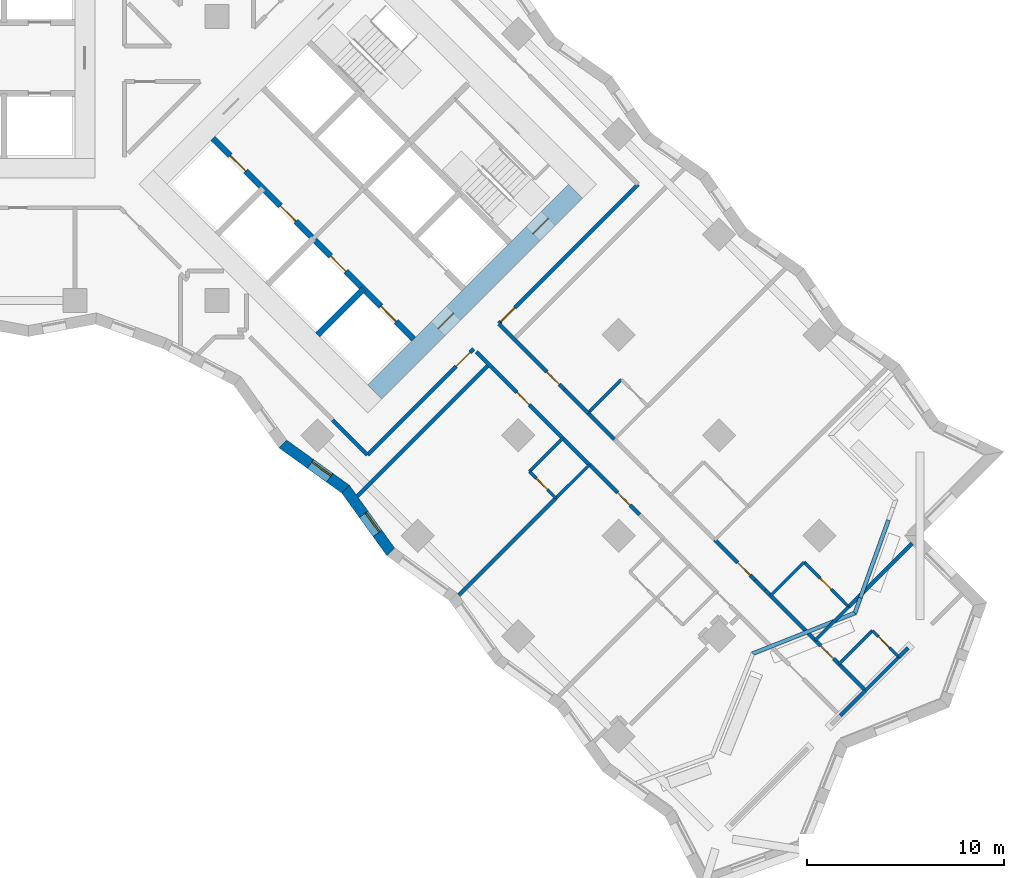
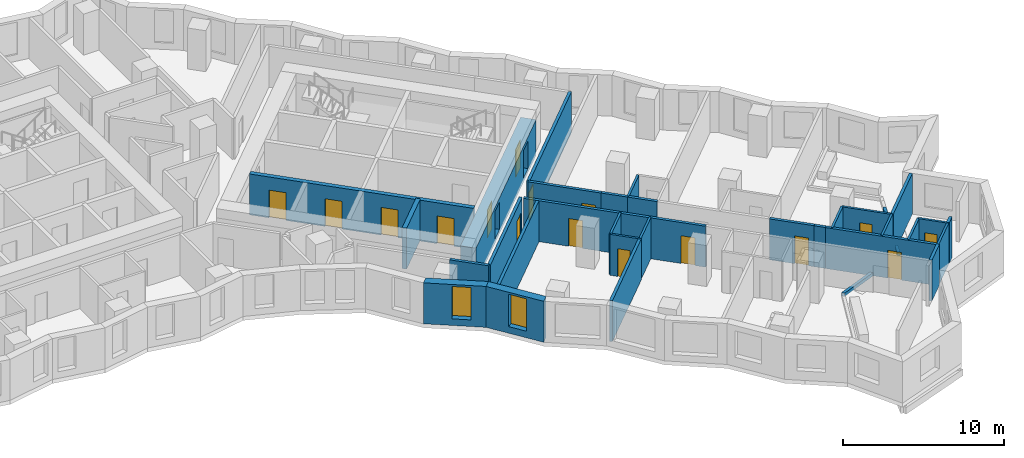
# One storey, part 8 of 13: 34 walls, 16 doors, 2 windows, 18 openings.
"""IFC4 building model written with IfcOpenShell, lengths in metres."""

from ifc_helpers import new_model, si_unit, direction, frame, frame_2d, origin, place, context, subcontext, project, spatial, polyline, rectangle, outline, extrude, material, layer, layer_set, type_object, element, fill, save


model = new_model("IFC4")

# Units and contexts
model_context = context("Model", 3, precision=1e-05, world=origin(), true_north=direction((0.0, 1.0)))
body_context = subcontext(model_context, "Body", "Model", "MODEL_VIEW")
ifc_project = project(units=[si_unit("LENGTHUNIT", "METRE"), si_unit("AREAUNIT", "SQUARE_METRE"), si_unit("VOLUMEUNIT", "CUBIC_METRE"), si_unit("PLANEANGLEUNIT", "RADIAN"), si_unit("MASSUNIT", "GRAM", prefix="KILO")], contexts=[model_context])

# Site, building, storey
site_placement = place(None, origin())
site = spatial("IfcSite", under=ifc_project, at=site_placement, CompositionType="ELEMENT")
building_placement = place(site_placement, origin())
building = spatial("IfcBuilding", under=site, at=building_placement, Name="Windrow Commons", CompositionType="ELEMENT")
storey_placement = place(building_placement, frame((0.0, 0.0, 64.4)))
storey = spatial("IfcBuildingStorey", under=building, at=storey_placement, Name="L17", CompositionType="ELEMENT", Elevation=64.4)

# Wall, opening, window
ifc_material_1 = material(Name="Brick masonry, red clay brick", Category="masonry")
ifc_layer_1 = layer(ifc_material_1, 0.55)
ifc_layer_set_1 = layer_set([ifc_layer_1], Name="Brick facade wall 550")
wall_type_1 = type_object("IfcWallType", Name="Brick facade wall 550", PredefinedType="SOLIDWALL", material=ifc_layer_set_1)
wall_1_placement = place(storey_placement, frame((82.538, 35.921, 0.0), z_axis=(0.0, 0.0, 1.0), x_axis=(0.8116340803, -0.5841661747, 0.0)))
wall_1 = element("IfcWall", 1, at=wall_1_placement, inside=storey, type_object=wall_type_1, Name="Brick facade wall L17 56", PredefinedType="SOLIDWALL", context=body_context, shape_type="SweptSolid", body=[
    extrude(outline(polyline([(-0.0448, -0.275), (3.8722, -0.275), (3.9618, 0.275), (0.0448, 0.275), (-0.0448, -0.275)])), origin(), (0.0, 0.0, 1.0), 3.1),
])
opening_1_placement = place(wall_1_placement, frame((1.7286, 0.0, 0.5)))
opening_1 = element("IfcOpeningElement", 2, at=opening_1_placement, cuts=wall_1, Name="Opening W7D", PredefinedType="OPENING", context=body_context, shape_type="SweptSolid", body=[
    extrude(rectangle(XDim=1.2, YDim=2.45, at=frame_2d((0.6, 1.225))), frame((0.0, 0.285, 0.0), z_axis=(0.0, -1.0, 0.0), x_axis=(1.0, 0.0, 0.0)), (0.0, 0.0, 1.0), 0.57),
])
ifc_material_2 = material(Name="Clear float glass in anodised aluminium frame", Category="aluminium")
window_type = type_object("IfcWindowType", Name="Window W7 notch 1200x2450", PartitioningType="SINGLE_PANEL", PredefinedType="WINDOW", material=ifc_material_2)
window_1_placement = place(opening_1_placement, origin())
window_1 = element("IfcWindow", 3, at=window_1_placement, inside=storey, type_object=window_type, Name="Window L17 56.1", OverallHeight=2.45, OverallWidth=1.2, PartitioningType="SINGLE_PANEL", PredefinedType="WINDOW", context=body_context, shape_type="SweptSolid", body=[
    extrude(rectangle(XDim=1.2, YDim=2.45, at=frame_2d((0.6, 1.225))), frame((0.0, 0.155, 0.0), z_axis=(0.0, -1.0, 0.0), x_axis=(1.0, 0.0, 0.0)), (0.0, 0.0, 1.0), 0.06),
])
fill(opening_1, window_1)

wall_2_placement = place(storey_placement, frame((85.7172, 33.6328, 0.0), z_axis=(0.0, 0.0, 1.0), x_axis=(0.5841661747, -0.8116340803, 0.0)))
wall_2 = element("IfcWall", 4, at=wall_2_placement, inside=storey, type_object=wall_type_1, Name="Brick facade wall L17 57", PredefinedType="SOLIDWALL", context=body_context, shape_type="SweptSolid", body=[
    extrude(outline(polyline([(0.0448, -0.275), (3.9618, -0.275), (3.8722, 0.275), (-0.0448, 0.275), (0.0448, -0.275)])), origin(), (0.0, 0.0, 1.0), 3.1),
])
opening_2_placement = place(wall_2_placement, frame((1.5714, 0.0, 0.5)))
opening_2 = element("IfcOpeningElement", 5, at=opening_2_placement, cuts=wall_2, Name="Opening W7D", PredefinedType="OPENING", context=body_context, shape_type="SweptSolid", body=[
    extrude(rectangle(XDim=1.2, YDim=2.45, at=frame_2d((0.6, 1.225))), frame((0.0, 0.285, 0.0), z_axis=(0.0, -1.0, 0.0), x_axis=(1.0, 0.0, 0.0)), (0.0, 0.0, 1.0), 0.57),
])
window_2_placement = place(opening_2_placement, origin())
window_2 = element("IfcWindow", 6, at=window_2_placement, inside=storey, type_object=window_type, Name="Window L17 57.1", OverallHeight=2.45, OverallWidth=1.2, PartitioningType="SINGLE_PANEL", PredefinedType="WINDOW", context=body_context, shape_type="SweptSolid", body=[
    extrude(rectangle(XDim=1.2, YDim=2.45, at=frame_2d((0.6, 1.225))), frame((0.0, 0.155, 0.0), z_axis=(0.0, -1.0, 0.0), x_axis=(1.0, 0.0, 0.0)), (0.0, 0.0, 1.0), 0.06),
])
fill(opening_2, window_2)

# Wall, opening, door
ifc_material_3 = material(Name="Blockwork partition", Category="masonry")
ifc_layer_2 = layer(ifc_material_3, 0.2)
ifc_layer_set_2 = layer_set([ifc_layer_2], Name="IW-CORRIDOR-200")
wall_type_2 = type_object("IfcWallType", Name="IW-CORRIDOR-200", PredefinedType="PARTITIONING", material=ifc_layer_set_2)
wall_3_placement = place(storey_placement, frame((93.4836, 42.0204, 0.0), z_axis=(0.0, 0.0, 1.0), x_axis=(0.7071067812, 0.7071067812, 0.0)))
wall_3 = element("IfcWall", 7, at=wall_3_placement, inside=storey, type_object=wall_type_2, Name="W-L17-W010", PredefinedType="PARTITIONING", context=body_context, shape_type="SweptSolid", body=[
    extrude(rectangle(XDim=9.9985, YDim=0.2, at=frame_2d((4.9992, 0.0))), origin(), (0.0, 0.0, 1.0), 3.1),
])
opening_3_placement = place(wall_3_placement, frame((0.1485, 0.0, 0.0)))
opening_3 = element("IfcOpeningElement", 8, at=opening_3_placement, cuts=wall_3, Name="Opening D310F", PredefinedType="OPENING", context=body_context, shape_type="SweptSolid", body=[
    extrude(rectangle(XDim=1.0, YDim=2.1, at=frame_2d((0.5, 1.05))), frame((0.0, 0.11, 0.0), z_axis=(0.0, -1.0, 0.0), x_axis=(1.0, 0.0, 0.0)), (0.0, 0.0, 1.0), 0.22),
])
ifc_material_4 = material(Name="Timber door leaf", Category="wood")
door_type_1 = type_object("IfcDoorType", Name="DT-AMENITY-1000", OperationType="SINGLE_SWING_LEFT", PredefinedType="DOOR", material=ifc_material_4)
door_1_placement = place(opening_3_placement, origin())
door_1 = element("IfcDoor", 9, at=door_1_placement, inside=storey, type_object=door_type_1, Name="D-L17-D039", OperationType="SINGLE_SWING_LEFT", OverallHeight=2.1, OverallWidth=1.0, PredefinedType="DOOR", context=body_context, shape_type="SweptSolid", body=[
    extrude(rectangle(XDim=1.0, YDim=2.1, at=frame_2d((0.5, 1.05))), frame((0.0, 0.025, 0.0), z_axis=(0.0, -1.0, 0.0), x_axis=(1.0, 0.0, 0.0)), (0.0, 0.0, 1.0), 0.05),
])
fill(opening_3, door_1)

wall_4_placement = place(storey_placement, frame((92.3491, 40.6011, 0.0), z_axis=(0.0, 0.0, 1.0), x_axis=(0.7071067812, -0.7071067812, 0.0)))
wall_4 = element("IfcWall", 10, at=wall_4_placement, inside=storey, type_object=wall_type_2, Name="W-L17-W018", PredefinedType="PARTITIONING", context=body_context, shape_type="SweptSolid", body=[
    extrude(rectangle(XDim=8.1006, YDim=0.2, at=frame_2d((4.0503, 0.0))), origin(), (0.0, 0.0, 1.0), 3.1),
])
opening_4_placement = place(wall_4_placement, frame((2.9093, 0.0, 0.0)))
opening_4 = element("IfcOpeningElement", 11, at=opening_4_placement, cuts=wall_4, Name="Opening D109F", PredefinedType="OPENING", context=body_context, shape_type="SweptSolid", body=[
    extrude(rectangle(XDim=0.9, YDim=2.1, at=frame_2d((0.45, 1.05))), frame((0.0, 0.11, 0.0), z_axis=(0.0, -1.0, 0.0), x_axis=(1.0, 0.0, 0.0)), (0.0, 0.0, 1.0), 0.22),
])
ifc_material_5 = material(Name="Timber door leaf", Category="wood")
door_type_2 = type_object("IfcDoorType", Name="DT-BEDROOM-900", OperationType="SINGLE_SWING_LEFT", PredefinedType="DOOR", material=ifc_material_5)
door_2_placement = place(opening_4_placement, origin())
door_2 = element("IfcDoor", 12, at=door_2_placement, inside=storey, type_object=door_type_2, Name="D-L17-D047", OperationType="SINGLE_SWING_LEFT", OverallHeight=2.1, OverallWidth=0.9, PredefinedType="DOOR", context=body_context, shape_type="SweptSolid", body=[
    extrude(rectangle(XDim=0.9, YDim=2.1, at=frame_2d((0.45, 1.05))), frame((0.0, 0.025, 0.0), z_axis=(0.0, -1.0, 0.0), x_axis=(1.0, 0.0, 0.0)), (0.0, 0.0, 1.0), 0.05),
])
fill(opening_4, door_2)

wall_5_placement = place(storey_placement, frame((86.8356, 35.3724, 0.0), z_axis=(0.0, 0.0, 1.0), x_axis=(0.7071067812, 0.7071067812, 0.0)))
wall_5 = element("IfcWall", 13, at=wall_5_placement, inside=storey, type_object=wall_type_2, Name="W-L17-W019", PredefinedType="PARTITIONING", context=body_context, shape_type="SweptSolid", body=[
    extrude(rectangle(XDim=7.6, YDim=0.2, at=frame_2d((3.8, 0.0))), origin(), (0.0, 0.0, 1.0), 3.1),
])
opening_5_placement = place(wall_5_placement, frame((6.3422, 0.0, 0.0)))
opening_5 = element("IfcOpeningElement", 14, at=opening_5_placement, cuts=wall_5, Name="Opening D310F", PredefinedType="OPENING", context=body_context, shape_type="SweptSolid", body=[
    extrude(rectangle(XDim=1.0, YDim=2.1, at=frame_2d((0.5, 1.05))), frame((0.0, 0.11, 0.0), z_axis=(0.0, -1.0, 0.0), x_axis=(1.0, 0.0, 0.0)), (0.0, 0.0, 1.0), 0.22),
])
door_3_placement = place(opening_5_placement, origin())
door_3 = element("IfcDoor", 15, at=door_3_placement, inside=storey, type_object=door_type_1, Name="D-L17-D046", OperationType="SINGLE_SWING_RIGHT", OverallHeight=2.1, OverallWidth=1.0, PredefinedType="DOOR", context=body_context, shape_type="SweptSolid", body=[
    extrude(rectangle(XDim=1.0, YDim=2.1, at=frame_2d((0.5, 1.05))), frame((0.0, 0.025, 0.0), z_axis=(0.0, -1.0, 0.0), x_axis=(1.0, 0.0, 0.0)), (0.0, 0.0, 1.0), 0.05),
])
fill(opening_5, door_3)

wall_6_placement = place(storey_placement, frame((106.9869, 28.5089, 0.0), z_axis=(0.0, 0.0, 1.0), x_axis=(0.7071067812, -0.7071067812, 0.0)))
wall_6 = element("IfcWall", 16, at=wall_6_placement, inside=storey, type_object=wall_type_2, Name="W-L17-W021", PredefinedType="PARTITIONING", context=body_context, shape_type="SweptSolid", body=[
    extrude(rectangle(XDim=7.1983, YDim=0.2, at=frame_2d((3.5991, 0.0))), origin(), (0.0, 0.0, 1.0), 3.1),
])
opening_6_placement = place(wall_6_placement, frame((4.0038, 0.0, 0.0)))
opening_6 = element("IfcOpeningElement", 17, at=opening_6_placement, cuts=wall_6, Name="Opening D109S", PredefinedType="OPENING", context=body_context, shape_type="SweptSolid", body=[
    extrude(rectangle(XDim=0.9, YDim=2.1, at=frame_2d((0.45, 1.05))), frame((0.0, 0.11, 0.0), z_axis=(0.0, -1.0, 0.0), x_axis=(1.0, 0.0, 0.0)), (0.0, 0.0, 1.0), 0.22),
])
door_4_placement = place(opening_6_placement, origin())
door_4 = element("IfcDoor", 18, at=door_4_placement, inside=storey, type_object=door_type_2, Name="D-L17-D054", OperationType="SINGLE_SWING_RIGHT", OverallHeight=2.1, OverallWidth=0.9, PredefinedType="DOOR", context=body_context, shape_type="SweptSolid", body=[
    extrude(rectangle(XDim=0.9, YDim=2.1, at=frame_2d((0.45, 1.05))), frame((0.0, 0.025, 0.0), z_axis=(0.0, -1.0, 0.0), x_axis=(1.0, 0.0, 0.0)), (0.0, 0.0, 1.0), 0.05),
])
fill(opening_6, door_4)

wall_7_placement = place(storey_placement, frame((93.4809, 42.0149, 0.0), z_axis=(0.0, 0.0, 1.0), x_axis=(0.7071067812, -0.7071067812, 0.0)))
wall_7 = element("IfcWall", 19, at=wall_7_placement, inside=storey, type_object=wall_type_2, Name="W-L17-W040", PredefinedType="PARTITIONING", context=body_context, shape_type="SweptSolid", body=[
    extrude(rectangle(XDim=4.698, YDim=0.2, at=frame_2d((2.349, 0.0))), origin(), (0.0, 0.0, 1.0), 3.1),
])
opening_7_placement = place(wall_7_placement, frame((3.4523, 0.0, 0.0)))
opening_7 = element("IfcOpeningElement", 20, at=opening_7_placement, cuts=wall_7, Name="Opening D109F", PredefinedType="OPENING", context=body_context, shape_type="SweptSolid", body=[
    extrude(rectangle(XDim=0.9, YDim=2.1, at=frame_2d((0.45, 1.05))), frame((0.0, 0.11, 0.0), z_axis=(0.0, -1.0, 0.0), x_axis=(1.0, 0.0, 0.0)), (0.0, 0.0, 1.0), 0.22),
])
door_5_placement = place(opening_7_placement, origin())
door_5 = element("IfcDoor", 21, at=door_5_placement, inside=storey, type_object=door_type_2, Name="D-L17-D040", OperationType="SINGLE_SWING_RIGHT", OverallHeight=2.1, OverallWidth=0.9, PredefinedType="DOOR", context=body_context, shape_type="SweptSolid", body=[
    extrude(rectangle(XDim=0.9, YDim=2.1, at=frame_2d((0.45, 1.05))), frame((0.0, 0.025, 0.0), z_axis=(0.0, -1.0, 0.0), x_axis=(1.0, 0.0, 0.0)), (0.0, 0.0, 1.0), 0.05),
])
fill(opening_7, door_5)

wall_8_placement = place(storey_placement, frame((98.0825, 34.8785, 0.0), z_axis=(0.0, 0.0, 1.0), x_axis=(0.7073845681, -0.7068288851, 0.0)))
wall_8 = element("IfcWall", 22, at=wall_8_placement, inside=storey, type_object=wall_type_2, Name="W-L17-W056", PredefinedType="PARTITIONING", context=body_context, shape_type="SweptSolid", body=[
    extrude(rectangle(XDim=3.5992, YDim=0.2, at=frame_2d((1.7996, 0.0))), origin(), (0.0, 0.0, 1.0), 3.1),
])
opening_8_placement = place(wall_8_placement, frame((2.0087, 0.0, 0.0)))
opening_8 = element("IfcOpeningElement", 23, at=opening_8_placement, cuts=wall_8, Name="Opening D109F", PredefinedType="OPENING", context=body_context, shape_type="SweptSolid", body=[
    extrude(rectangle(XDim=0.9, YDim=2.1, at=frame_2d((0.45, 1.05))), frame((0.0, 0.11, 0.0), z_axis=(0.0, -1.0, 0.0), x_axis=(1.0, 0.0, 0.0)), (0.0, 0.0, 1.0), 0.22),
])
door_6_placement = place(opening_8_placement, origin())
door_6 = element("IfcDoor", 24, at=door_6_placement, inside=storey, type_object=door_type_2, Name="D-L17-D049", OperationType="SINGLE_SWING_LEFT", OverallHeight=2.1, OverallWidth=0.9, PredefinedType="DOOR", context=body_context, shape_type="SweptSolid", body=[
    extrude(rectangle(XDim=0.9, YDim=2.1, at=frame_2d((0.45, 1.05))), frame((0.0, 0.025, 0.0), z_axis=(0.0, -1.0, 0.0), x_axis=(1.0, 0.0, 0.0)), (0.0, 0.0, 1.0), 0.05),
])
fill(opening_8, door_6)

wall_9_placement = place(storey_placement, frame((104.4448, 31.0588, 0.0), z_axis=(0.0, 0.0, 1.0), x_axis=(0.7074545101, -0.7067588812, 0.0)))
wall_9 = element("IfcWall", 25, at=wall_9_placement, inside=storey, type_object=wall_type_2, Name="W-L17-W064", PredefinedType="PARTITIONING", context=body_context, shape_type="SweptSolid", body=[
    extrude(rectangle(XDim=2.8751, YDim=0.2, at=frame_2d((1.4376, 0.0))), origin(), (0.0, 0.0, 1.0), 3.1),
])
opening_9_placement = place(wall_9_placement, frame((1.6264, 0.0, 0.0)))
opening_9 = element("IfcOpeningElement", 26, at=opening_9_placement, cuts=wall_9, Name="Opening D109F", PredefinedType="OPENING", context=body_context, shape_type="SweptSolid", body=[
    extrude(rectangle(XDim=0.9, YDim=2.1, at=frame_2d((0.45, 1.05))), frame((0.0, 0.11, 0.0), z_axis=(0.0, -1.0, 0.0), x_axis=(1.0, 0.0, 0.0)), (0.0, 0.0, 1.0), 0.22),
])
door_7_placement = place(opening_9_placement, origin())
door_7 = element("IfcDoor", 27, at=door_7_placement, inside=storey, type_object=door_type_2, Name="D-L17-D044", OperationType="SINGLE_SWING_RIGHT", OverallHeight=2.1, OverallWidth=0.9, PredefinedType="DOOR", context=body_context, shape_type="SweptSolid", body=[
    extrude(rectangle(XDim=0.9, YDim=2.1, at=frame_2d((0.45, 1.05))), frame((0.0, 0.025, 0.0), z_axis=(0.0, -1.0, 0.0), x_axis=(1.0, 0.0, 0.0)), (0.0, 0.0, 1.0), 0.05),
])
fill(opening_9, door_7)

# Walls
wall_10_placement = place(storey_placement, frame((85.0651, 37.1371, 0.0), z_axis=(0.0, 0.0, 1.0), x_axis=(0.7071067812, -0.7071067812, 0.0)))
element("IfcWall", 28, at=wall_10_placement, inside=storey, type_object=wall_type_2, Name="W-L17-W069", PredefinedType="PARTITIONING", context=body_context, shape_type="SweptSolid", body=[
    extrude(rectangle(XDim=2.5003, YDim=0.2, at=frame_2d((1.2502, 0.0))), origin(), (0.0, 0.0, 1.0), 3.1),
])
wall_11_placement = place(storey_placement, frame((98.0117, 37.4957, 0.0), z_axis=(0.0, 0.0, 1.0), x_axis=(0.7065800724, -0.7076330979, 0.0)))
element("IfcWall", 29, at=wall_11_placement, inside=storey, type_object=wall_type_2, Name="W-L17-W125", PredefinedType="PARTITIONING", context=body_context, shape_type="SweptSolid", body=[
    extrude(rectangle(XDim=1.8993, YDim=0.2, at=frame_2d((0.9496, 0.0))), origin(), (0.0, 0.0, 1.0), 3.1),
])
wall_12_placement = place(storey_placement, frame((110.8109, 22.1451, 0.0), z_axis=(0.0, 0.0, 1.0), x_axis=(0.7065510983, 0.7076620277, 0.0)))
element("IfcWall", 30, at=wall_12_placement, inside=storey, type_object=wall_type_2, Name="W-L17-W130", PredefinedType="PARTITIONING", context=body_context, shape_type="SweptSolid", body=[
    extrude(rectangle(XDim=1.8003, YDim=0.2, at=frame_2d((0.9002, 0.0))), origin(), (0.0, 0.0, 1.0), 3.1),
])
wall_13_placement = place(storey_placement, frame((96.8059, 38.6959, 0.0), z_axis=(0.0, 0.0, 1.0), x_axis=(0.7076943229, -0.7065187509, 0.0)))
element("IfcWall", 31, at=wall_13_placement, inside=storey, type_object=wall_type_2, Name="W-L17-W135", PredefinedType="PARTITIONING", context=body_context, shape_type="SweptSolid", body=[
    extrude(rectangle(XDim=1.7013, YDim=0.2, at=frame_2d((0.8507, 0.0))), origin(), (0.0, 0.0, 1.0), 3.1),
])
wall_14_placement = place(storey_placement, frame((106.4763, 29.0243, 0.0), z_axis=(0.0, 0.0, 1.0), x_axis=(0.7057270646, -0.7084838109, 0.0)))
element("IfcWall", 32, at=wall_14_placement, inside=storey, type_object=wall_type_2, Name="W-L17-W150", PredefinedType="PARTITIONING", context=body_context, shape_type="SweptSolid", body=[
    extrude(rectangle(XDim=0.7255, YDim=0.2, at=frame_2d((0.3628, 0.0))), origin(), (0.0, 0.0, 1.0), 3.1),
])

# Wall, opening, door
ifc_material_6 = material(Name="Blockwork partition", Category="masonry")
ifc_layer_3 = layer(ifc_material_6, 0.15)
ifc_layer_set_3 = layer_set([ifc_layer_3], Name="IW-ENSUITE-150")
wall_type_3 = type_object("IfcWallType", Name="IW-ENSUITE-150", PredefinedType="PARTITIONING", material=ifc_layer_set_3)
wall_15_placement = place(storey_placement, frame((108.9697, 29.9277, 0.0), z_axis=(0.0, 0.0, 1.0), x_axis=(0.7067942478, -0.7074191764, 0.0)))
wall_15 = element("IfcWall", 33, at=wall_15_placement, inside=storey, type_object=wall_type_3, Name="W-L17-W058", PredefinedType="PARTITIONING", context=body_context, shape_type="SweptSolid", body=[
    extrude(rectangle(XDim=3.2004, YDim=0.15, at=frame_2d((1.6002, 0.0))), origin(), (0.0, 0.0, 1.0), 3.1),
])
opening_10_placement = place(wall_15_placement, frame((1.148, 0.0, 0.0)))
opening_10 = element("IfcOpeningElement", 34, at=opening_10_placement, cuts=wall_15, Name="Opening D208N", PredefinedType="OPENING", context=body_context, shape_type="SweptSolid", body=[
    extrude(rectangle(XDim=0.8, YDim=2.1, at=frame_2d((0.4, 1.05))), frame((0.0, 0.085, 0.0), z_axis=(0.0, -1.0, 0.0), x_axis=(1.0, 0.0, 0.0)), (0.0, 0.0, 1.0), 0.17),
])
ifc_material_7 = material(Name="Timber door leaf", Category="wood")
door_type_3 = type_object("IfcDoorType", Name="DT-ENSUITE-800", OperationType="SINGLE_SWING_LEFT", PredefinedType="DOOR", material=ifc_material_7)
door_8_placement = place(opening_10_placement, origin())
door_8 = element("IfcDoor", 35, at=door_8_placement, inside=storey, type_object=door_type_3, Name="D-L17-D045", OperationType="SINGLE_SWING_RIGHT", OverallHeight=2.1, OverallWidth=0.8, PredefinedType="DOOR", context=body_context, shape_type="SweptSolid", body=[
    extrude(rectangle(XDim=0.8, YDim=2.1, at=frame_2d((0.4, 1.05))), frame((0.0, 0.025, 0.0), z_axis=(0.0, -1.0, 0.0), x_axis=(1.0, 0.0, 0.0)), (0.0, 0.0, 1.0), 0.05),
])
fill(opening_10, door_8)

# Walls
wall_16_placement = place(storey_placement, frame((107.2712, 28.2308, 0.0), z_axis=(0.0, 0.0, 1.0), x_axis=(0.7071067812, 0.7071067812, 0.0)))
element("IfcWall", 36, at=wall_16_placement, inside=storey, type_object=wall_type_3, Name="W-L17-W072", PredefinedType="PARTITIONING", context=body_context, shape_type="SweptSolid", body=[
    extrude(rectangle(XDim=2.4013, YDim=0.15, at=frame_2d((1.2006, 0.0))), origin(), (0.0, 0.0, 1.0), 3.1),
])
for number, where, z_axis, x_axis, name in (
    (37, (96.3844, 33.1776, 0.0), (0.0, 0.0, 1.0), (0.7075233388, 0.706689978, 0.0), "W-L17-W098"),
    (38, (112.077, 23.425, 0.0), (0.0, 0.0, 1.0), (0.7075233388, 0.706689978, 0.0), "W-L17-W101"),
    (39, (109.5314, 25.9706, 0.0), (0.0, 0.0, 1.0), (0.7075233388, 0.706689978, 0.0), "W-L17-W104"),
    (40, (110.7335, 24.7685, 0.0), (0.0, 0.0, 1.0), (0.7075233388, 0.706689978, 0.0), "W-L17-W105"),
):
    element("IfcWall", number, at=place(storey_placement, frame(where, z_axis=z_axis, x_axis=x_axis)), inside=storey, type_object=wall_type_3, Name=name, PredefinedType="PARTITIONING", context=body_context, shape_type="SweptSolid", body=[
        extrude(rectangle(XDim=2.3999, YDim=0.15, at=frame_2d((1.2, 0.0))), origin(), (0.0, 0.0, 1.0), 3.1),
    ])
for number, where, z_axis, x_axis, name in (
    (41, (95.0391, 34.5249, 0.0), (0.0, 0.0, 1.0), (0.7071067812, 0.7071067812, 0.0), "W-L17-W106"),
    (42, (98.0091, 37.4949, 0.0), (0.0, 0.0, 1.0), (0.7071067812, 0.7071067812, 0.0), "W-L17-W108"),
):
    element("IfcWall", number, at=place(storey_placement, frame(where, z_axis=z_axis, x_axis=x_axis)), inside=storey, type_object=wall_type_3, Name=name, PredefinedType="PARTITIONING", context=body_context, shape_type="SweptSolid", body=[
        extrude(rectangle(XDim=2.3985, YDim=0.15, at=frame_2d((1.1992, 0.0))), origin(), (0.0, 0.0, 1.0), 3.1),
    ])

# Wall, opening, door
wall_17_placement = place(storey_placement, frame((112.431, 26.459, 0.0), z_axis=(0.0, 0.0, 1.0), x_axis=(0.7071067812, -0.7071067812, 0.0)))
wall_17 = element("IfcWall", 43, at=wall_17_placement, inside=storey, type_object=wall_type_3, Name="W-L17-W116", PredefinedType="PARTITIONING", context=body_context, shape_type="SweptSolid", body=[
    extrude(rectangle(XDim=1.9007, YDim=0.15, at=frame_2d((0.9504, 0.0))), origin(), (0.0, 0.0, 1.0), 3.1),
])
opening_11_placement = place(wall_17_placement, frame((0.431, 0.0, 0.0)))
opening_11 = element("IfcOpeningElement", 44, at=opening_11_placement, cuts=wall_17, Name="Opening D208N", PredefinedType="OPENING", context=body_context, shape_type="SweptSolid", body=[
    extrude(rectangle(XDim=0.8, YDim=2.1, at=frame_2d((0.4, 1.05))), frame((0.0, 0.085, 0.0), z_axis=(0.0, -1.0, 0.0), x_axis=(1.0, 0.0, 0.0)), (0.0, 0.0, 1.0), 0.17),
])
door_9_placement = place(opening_11_placement, origin())
door_9 = element("IfcDoor", 45, at=door_9_placement, inside=storey, type_object=door_type_3, Name="D-L17-D055", OperationType="SINGLE_SWING_RIGHT", OverallHeight=2.1, OverallWidth=0.8, PredefinedType="DOOR", context=body_context, shape_type="SweptSolid", body=[
    extrude(rectangle(XDim=0.8, YDim=2.1, at=frame_2d((0.4, 1.05))), frame((0.0, 0.025, 0.0), z_axis=(0.0, -1.0, 0.0), x_axis=(1.0, 0.0, 0.0)), (0.0, 0.0, 1.0), 0.05),
])
fill(opening_11, door_9)

wall_18_placement = place(storey_placement, frame((95.0418, 34.5258, 0.0), z_axis=(0.0, 0.0, 1.0), x_axis=(0.7065800724, -0.7076330979, 0.0)))
wall_18 = element("IfcWall", 46, at=wall_18_placement, inside=storey, type_object=wall_type_3, Name="W-L17-W126", PredefinedType="PARTITIONING", context=body_context, shape_type="SweptSolid", body=[
    extrude(rectangle(XDim=1.8993, YDim=0.15, at=frame_2d((0.9496, 0.0))), origin(), (0.0, 0.0, 1.0), 3.1),
])
opening_12_placement = place(wall_18_placement, frame((0.4911, 0.0, 0.0)))
opening_12 = element("IfcOpeningElement", 47, at=opening_12_placement, cuts=wall_18, Name="Opening D208N", PredefinedType="OPENING", context=body_context, shape_type="SweptSolid", body=[
    extrude(rectangle(XDim=0.8, YDim=2.1, at=frame_2d((0.4, 1.05))), frame((0.0, 0.085, 0.0), z_axis=(0.0, -1.0, 0.0), x_axis=(1.0, 0.0, 0.0)), (0.0, 0.0, 1.0), 0.17),
])
door_10_placement = place(opening_12_placement, origin())
door_10 = element("IfcDoor", 48, at=door_10_placement, inside=storey, type_object=door_type_3, Name="D-L17-D048", OperationType="SINGLE_SWING_RIGHT", OverallHeight=2.1, OverallWidth=0.8, PredefinedType="DOOR", context=body_context, shape_type="SweptSolid", body=[
    extrude(rectangle(XDim=0.8, YDim=2.1, at=frame_2d((0.4, 1.05))), frame((0.0, 0.025, 0.0), z_axis=(0.0, -1.0, 0.0), x_axis=(1.0, 0.0, 0.0)), (0.0, 0.0, 1.0), 0.05),
])
fill(opening_12, door_10)

# Walls
ifc_material_8 = material(Name="Blockwork partition", Category="masonry")
ifc_layer_4 = layer(ifc_material_8, 0.2)
ifc_layer_set_4 = layer_set([ifc_layer_4], Name="IW-PARTY-200")
wall_type_4 = type_object("IfcWallType", Name="IW-PARTY-200", PredefinedType="PARTITIONING", material=ifc_layer_set_4)
wall_19_placement = place(storey_placement, frame((86.3095, 33.2806, 0.0), z_axis=(0.0, 0.0, 1.0), x_axis=(0.7069956745, 0.7072178704, 0.0)))
element("IfcWall", 49, at=wall_19_placement, inside=storey, type_object=wall_type_4, Name="W-L17-W015", PredefinedType="PARTITIONING", context=body_context, shape_type="SweptSolid", body=[
    extrude(rectangle(XDim=9.4511, YDim=0.2, at=frame_2d((4.7256, 0.0))), origin(), (0.0, 0.0, 1.0), 3.1),
])
wall_20_placement = place(storey_placement, frame((91.4577, 28.2565, 0.0), z_axis=(0.0, 0.0, 1.0), x_axis=(0.7071067812, 0.7071067812, 0.0)))
element("IfcWall", 50, at=wall_20_placement, inside=storey, type_object=wall_type_4, Name="W-L17-W026", PredefinedType="PARTITIONING", context=body_context, shape_type="SweptSolid", body=[
    extrude(rectangle(XDim=6.9634, YDim=0.2, at=frame_2d((3.4817, 0.0))), origin(), (0.0, 0.0, 1.0), 3.1),
])
wall_21_placement = place(storey_placement, frame((111.2309, 27.6651, 0.0), z_axis=(0.0, 0.0, 1.0), x_axis=(0.7071067812, 0.7071067812, 0.0)))
element("IfcWall", 51, at=wall_21_placement, inside=storey, type_object=wall_type_4, Name="W-L17-W044", PredefinedType="PARTITIONING", context=body_context, shape_type="SweptSolid", body=[
    extrude(rectangle(XDim=4.5502, YDim=0.2, at=frame_2d((2.2751, 0.0))), origin(), (0.0, 0.0, 1.0), 3.1),
])
wall_22_placement = place(storey_placement, frame((113.7745, 25.1215, 0.0), z_axis=(0.0, 0.0, 1.0), x_axis=(0.705571267, 0.7086389682, 0.0)))
element("IfcWall", 52, at=wall_22_placement, inside=storey, type_object=wall_type_4, Name="W-L17-W153", PredefinedType="PARTITIONING", context=body_context, shape_type="SweptSolid", body=[
    extrude(rectangle(XDim=0.652, YDim=0.2, at=frame_2d((0.326, 0.0))), origin(), (0.0, 0.0, 1.0), 3.1),
])

# Wall, openings, doors
ifc_material_9 = material(Name="Concrete C60/75", Category="concrete")
ifc_layer_5 = layer(ifc_material_9, 1.0)
ifc_layer_set_5 = layer_set([ifc_layer_5], Name="RC CORE WALL 1000 C60/75")
wall_type_5 = type_object("IfcWallType", Name="RC CORE WALL 1000 C60/75", PredefinedType="SHEAR", material=ifc_layer_set_5)
wall_23_placement = place(storey_placement, frame((87.1903, 38.5538, -0.3), z_axis=(0.0, 0.0, 1.0), x_axis=(0.707103309, 0.7071102534, 0.0)))
wall_23 = element("IfcWall", 53, at=wall_23_placement, inside=storey, type_object=wall_type_5, Name="Core B wall outer-E", PredefinedType="SHEAR", context=body_context, shape_type="SweptSolid", body=[
    extrude(rectangle(XDim=14.4, YDim=1.0, at=frame_2d((7.2, 0.0))), origin(), (0.0, 0.0, 1.0), 2.7),
])
opening_13_placement = place(wall_23_placement, frame((4.55, 0.0, 0.3)))
opening_13 = element("IfcOpeningElement", 54, at=opening_13_placement, cuts=wall_23, Name="Opening D6", PredefinedType="OPENING", context=body_context, shape_type="SweptSolid", body=[
    extrude(rectangle(XDim=1.1, YDim=2.1, at=frame_2d((0.55, 1.05))), frame((0.0, 0.51, 0.0), z_axis=(0.0, -1.0, 0.0), x_axis=(1.0, 0.0, 0.0)), (0.0, 0.0, 1.0), 1.02),
])
opening_14_placement = place(wall_23_placement, frame((11.35, 0.0, 0.3)))
opening_14 = element("IfcOpeningElement", 55, at=opening_14_placement, cuts=wall_23, Name="Opening D7", PredefinedType="OPENING", context=body_context, shape_type="SweptSolid", body=[
    extrude(rectangle(XDim=1.1, YDim=2.1, at=frame_2d((0.55, 1.05))), frame((0.0, 0.51, 0.0), z_axis=(0.0, -1.0, 0.0), x_axis=(1.0, 0.0, 0.0)), (0.0, 0.0, 1.0), 1.02),
])
ifc_material_10 = material(Name="Steel fire door leaf", Category="steel")
door_type_4 = type_object("IfcDoorType", Name="Core lobby door 1100", OperationType="SINGLE_SWING_LEFT", PredefinedType="DOOR", material=ifc_material_10)
door_11_placement = place(opening_13_placement, origin())
door_11 = element("IfcDoor", 56, at=door_11_placement, inside=storey, type_object=door_type_4, Name="Lift lobby door", OperationType="DOUBLE_DOOR_SINGLE_SWING", OverallHeight=2.1, OverallWidth=1.1, PredefinedType="DOOR", context=body_context, shape_type="SweptSolid", body=[
    extrude(rectangle(XDim=1.1, YDim=2.1, at=frame_2d((0.55, 1.05))), frame((0.0, 0.025, 0.0), z_axis=(0.0, -1.0, 0.0), x_axis=(1.0, 0.0, 0.0)), (0.0, 0.0, 1.0), 0.05),
])
fill(opening_13, door_11)
ifc_material_11 = material(Name="Steel fire door leaf", Category="steel")
door_type_5 = type_object("IfcDoorType", Name="Stair door 1100", OperationType="SINGLE_SWING_LEFT", PredefinedType="DOOR", material=ifc_material_11)
door_12_placement = place(opening_14_placement, origin())
door_12 = element("IfcDoor", 57, at=door_12_placement, inside=storey, type_object=door_type_5, Name="Stair door", OperationType="SINGLE_SWING_RIGHT", OverallHeight=2.1, OverallWidth=1.1, PredefinedType="DOOR", context=body_context, shape_type="SweptSolid", body=[
    extrude(rectangle(XDim=1.1, YDim=2.1, at=frame_2d((0.55, 1.05))), frame((0.0, 0.025, 0.0), z_axis=(0.0, -1.0, 0.0), x_axis=(1.0, 0.0, 0.0)), (0.0, 0.0, 1.0), 0.05),
])
fill(opening_14, door_12)

# Wall
ifc_material_12 = material(Name="Concrete C60/75", Category="concrete")
ifc_layer_6 = layer(ifc_material_12, 0.3)
ifc_layer_set_6 = layer_set([ifc_layer_6], Name="RC SHAFT WALL 300 C60/75")
wall_type_6 = type_object("IfcWallType", Name="RC SHAFT WALL 300 C60/75", PredefinedType="SOLIDWALL", material=ifc_layer_set_6)
wall_24_placement = place(storey_placement, frame((84.2912, 41.453, 0.0), z_axis=(0.0, 0.0, 1.0), x_axis=(0.7071067812, 0.7071067812, 0.0)))
element("IfcWall", 58, at=wall_24_placement, inside=storey, type_object=wall_type_6, Name="Core B wall shaft-S3", PredefinedType="SOLIDWALL", context=body_context, shape_type="SweptSolid", body=[
    extrude(rectangle(XDim=3.2999, YDim=0.3, at=frame_2d((1.65, 0.0))), origin(), (0.0, 0.0, 1.0), 3.1),
])

# Wall, openings, doors
wall_25_placement = place(storey_placement, frame((78.9879, 51.4232, 0.0), z_axis=(0.0, 0.0, 1.0), x_axis=(0.7071067812, -0.7071067812, 0.0)))
wall_25 = element("IfcWall", 59, at=wall_25_placement, inside=storey, type_object=wall_type_6, Name="Core B wall lobby-S", PredefinedType="SOLIDWALL", context=body_context, shape_type="SweptSolid", body=[
    extrude(rectangle(XDim=14.3999, YDim=0.3, at=frame_2d((7.2, 0.0))), origin(), (0.0, 0.0, 1.0), 3.1),
])
opening_15_placement = place(wall_25_placement, frame((1.25, 0.0, 0.0)))
opening_15 = element("IfcOpeningElement", 60, at=opening_15_placement, cuts=wall_25, Name="Opening LD", PredefinedType="OPENING", context=body_context, shape_type="SweptSolid", body=[
    extrude(rectangle(XDim=1.1, YDim=2.1, at=frame_2d((0.55, 1.05))), frame((0.0, 0.16, 0.0), z_axis=(0.0, -1.0, 0.0), x_axis=(1.0, 0.0, 0.0)), (0.0, 0.0, 1.0), 0.32),
])
opening_16_placement = place(wall_25_placement, frame((4.85, 0.0, 0.0)))
opening_16 = element("IfcOpeningElement", 61, at=opening_16_placement, cuts=wall_25, Name="Opening LD", PredefinedType="OPENING", context=body_context, shape_type="SweptSolid", body=[
    extrude(rectangle(XDim=1.1, YDim=2.1, at=frame_2d((0.55, 1.05))), frame((0.0, 0.16, 0.0), z_axis=(0.0, -1.0, 0.0), x_axis=(1.0, 0.0, 0.0)), (0.0, 0.0, 1.0), 0.32),
])
opening_17_placement = place(wall_25_placement, frame((8.45, 0.0, 0.0)))
opening_17 = element("IfcOpeningElement", 62, at=opening_17_placement, cuts=wall_25, Name="Opening LD", PredefinedType="OPENING", context=body_context, shape_type="SweptSolid", body=[
    extrude(rectangle(XDim=1.1, YDim=2.1, at=frame_2d((0.55, 1.05))), frame((0.0, 0.16, 0.0), z_axis=(0.0, -1.0, 0.0), x_axis=(1.0, 0.0, 0.0)), (0.0, 0.0, 1.0), 0.32),
])
opening_18_placement = place(wall_25_placement, frame((12.05, 0.0, 0.0)))
opening_18 = element("IfcOpeningElement", 63, at=opening_18_placement, cuts=wall_25, Name="Opening LD", PredefinedType="OPENING", context=body_context, shape_type="SweptSolid", body=[
    extrude(rectangle(XDim=1.1, YDim=2.1, at=frame_2d((0.55, 1.05))), frame((0.0, 0.16, 0.0), z_axis=(0.0, -1.0, 0.0), x_axis=(1.0, 0.0, 0.0)), (0.0, 0.0, 1.0), 0.32),
])
ifc_material_13 = material(Name="Stainless steel door leaf", Category="steel")
door_type_6 = type_object("IfcDoorType", Name="Lift landing door 1100", OperationType="SLIDING_TO_LEFT", PredefinedType="DOOR", material=ifc_material_13)
door_13_placement = place(opening_15_placement, origin())
door_13 = element("IfcDoor", 64, at=door_13_placement, inside=storey, type_object=door_type_6, Name="Lift landing door", OperationType="SLIDING_TO_LEFT", OverallHeight=2.1, OverallWidth=1.1, PredefinedType="DOOR", context=body_context, shape_type="SweptSolid", body=[
    extrude(rectangle(XDim=1.1, YDim=2.1, at=frame_2d((0.55, 1.05))), frame((0.0, 0.025, 0.0), z_axis=(0.0, -1.0, 0.0), x_axis=(1.0, 0.0, 0.0)), (0.0, 0.0, 1.0), 0.05),
])
fill(opening_15, door_13)
door_14_placement = place(opening_16_placement, origin())
door_14 = element("IfcDoor", 65, at=door_14_placement, inside=storey, type_object=door_type_6, Name="Lift landing door", OperationType="SLIDING_TO_RIGHT", OverallHeight=2.1, OverallWidth=1.1, PredefinedType="DOOR", context=body_context, shape_type="SweptSolid", body=[
    extrude(rectangle(XDim=1.1, YDim=2.1, at=frame_2d((0.55, 1.05))), frame((0.0, 0.025, 0.0), z_axis=(0.0, -1.0, 0.0), x_axis=(1.0, 0.0, 0.0)), (0.0, 0.0, 1.0), 0.05),
])
fill(opening_16, door_14)
door_15_placement = place(opening_17_placement, origin())
door_15 = element("IfcDoor", 66, at=door_15_placement, inside=storey, type_object=door_type_6, Name="Lift landing door", OperationType="SLIDING_TO_LEFT", OverallHeight=2.1, OverallWidth=1.1, PredefinedType="DOOR", context=body_context, shape_type="SweptSolid", body=[
    extrude(rectangle(XDim=1.1, YDim=2.1, at=frame_2d((0.55, 1.05))), frame((0.0, 0.025, 0.0), z_axis=(0.0, -1.0, 0.0), x_axis=(1.0, 0.0, 0.0)), (0.0, 0.0, 1.0), 0.05),
])
fill(opening_17, door_15)
door_16_placement = place(opening_18_placement, origin())
door_16 = element("IfcDoor", 67, at=door_16_placement, inside=storey, type_object=door_type_6, Name="Lift landing door", OperationType="SLIDING_TO_RIGHT", OverallHeight=2.1, OverallWidth=1.1, PredefinedType="DOOR", context=body_context, shape_type="SweptSolid", body=[
    extrude(rectangle(XDim=1.1, YDim=2.1, at=frame_2d((0.55, 1.05))), frame((0.0, 0.025, 0.0), z_axis=(0.0, -1.0, 0.0), x_axis=(1.0, 0.0, 0.0)), (0.0, 0.0, 1.0), 0.05),
])
fill(opening_18, door_16)

# Walls
ifc_material_14 = material(Name="Brick masonry, red clay brick", Category="masonry")
ifc_layer_7 = layer(ifc_material_14, 0.2)
ifc_layer_set_7 = layer_set([ifc_layer_7], Name="Terrace edge parapet 200")
wall_type_7 = type_object("IfcWallType", Name="Terrace edge parapet 200", PredefinedType="PARAPET", material=ifc_layer_set_7)
wall_26_placement = place(storey_placement, frame((113.2393, 32.0608, 0.0), z_axis=(0.0, 0.0, 1.0), x_axis=(-0.3392575143, -0.9406935415, 0.0)))
element("IfcWall", 68, at=wall_26_placement, inside=storey, type_object=wall_type_7, Name="Terrace parapet TR-L17-1.1.5", PredefinedType="PARAPET", context=body_context, shape_type="SweptSolid", body=[
    extrude(outline(polyline([(0.0, -0.1), (4.1853, -0.1), (4.1853, 0.1), (0.0, 0.1), (0.0, -0.1)])), origin(), (0.0, 0.0, 1.0), 0.25),
])
wall_27_placement = place(storey_placement, frame((111.8194, 28.1237, 0.0), z_axis=(0.0, 0.0, 1.0), x_axis=(-0.3392690321, -0.9406893876, 0.0)))
element("IfcWall", 69, at=wall_27_placement, inside=storey, type_object=wall_type_7, Name="Terrace parapet TR-L17-1.1.6", PredefinedType="PARAPET", context=body_context, shape_type="SweptSolid", body=[
    extrude(outline(polyline([(0.0, -0.1), (0.7732, -0.1), (0.8632, 0.1), (0.0, 0.1), (0.0, -0.1)])), origin(), (0.0, 0.0, 1.0), 0.25),
])
wall_28_placement = place(storey_placement, frame((111.5418, 27.354, 0.0), z_axis=(0.0, 0.0, 1.0), x_axis=(-0.9291537819, -0.3696934536, 0.0)))
element("IfcWall", 70, at=wall_28_placement, inside=storey, type_object=wall_type_7, Name="Terrace parapet TR-L17-1.1.7", PredefinedType="PARAPET", context=body_context, shape_type="SweptSolid", body=[
    extrude(outline(polyline([(0.045, -0.1), (5.612, -0.1), (5.5259, 0.1), (-0.045, 0.1), (0.045, -0.1)])), origin(), (0.0, 0.0, 1.0), 0.25),
])

save(model, "model.ifc")
